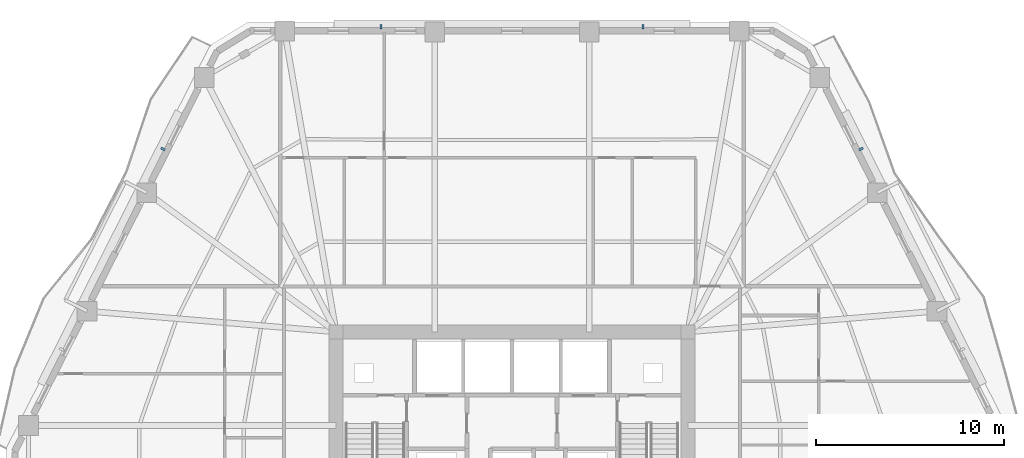
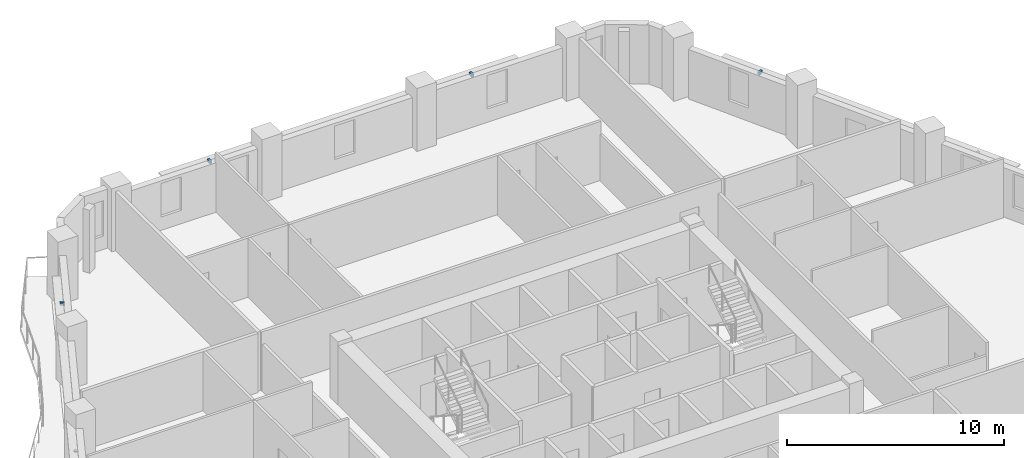
# One storey, part 9 of 13: 4 discrete accessories.
"""IFC4 building model written with IfcOpenShell, lengths in metres."""

from ifc_helpers import new_model, si_unit, direction, frame, origin, origin_2d, place, context, subcontext, project, spatial, rectangle, extrude, material, type_object, element, save


model = new_model("IFC4")

# Units and contexts
model_context = context("Model", 3, precision=1e-05, world=origin(), true_north=direction((0.0, 1.0)))
body_context = subcontext(model_context, "Body", "Model", "MODEL_VIEW")
ifc_project = project(units=[si_unit("LENGTHUNIT", "METRE"), si_unit("AREAUNIT", "SQUARE_METRE"), si_unit("VOLUMEUNIT", "CUBIC_METRE"), si_unit("PLANEANGLEUNIT", "RADIAN"), si_unit("MASSUNIT", "GRAM", prefix="KILO")], contexts=[model_context])

# Site, building, storey
site_placement = place(None, origin())
site = spatial("IfcSite", under=ifc_project, at=site_placement, CompositionType="ELEMENT")
building_placement = place(site_placement, origin())
building = spatial("IfcBuilding", under=site, at=building_placement, Name="Cinnabar Lancet Tower", CompositionType="ELEMENT")
storey_placement = place(building_placement, frame((0.0, 0.0, 83.550048828125)))
storey = spatial("IfcBuildingStorey", under=building, at=storey_placement, Name="L21", CompositionType="ELEMENT", Elevation=83.550048828125)

# Discrete accessories
ifc_material = material(Name="Stainless steel 316 facade fixing bracket", Category="steel")
discrete_accessory_type = type_object("IfcDiscreteAccessoryType", Name="ENV-ACC-BRK-180", PredefinedType="BRACKET", material=ifc_material)
for number, where, z_axis, x_axis, name in (
    (1, (50.993896484375, 43.02099609375, 2.60009765625), (0.0, 0.0, 1.0), (-0.451500573218, 0.892270829056, 0.0), "L21 Face 3 Sunshade Bracket B"),
    (2, (39.383056640625, 49.5400390625, 2.60009765625), (0.0, 0.0, 1.0), (-1.0, 0.0, 0.0), "L21 Face 4 Sunshade Bracket A"),
    (3, (25.4169921875, 49.5400390625, 2.60009765625), (0.0, 0.0, 1.0), (-1.0, 0.0, 0.0), "L21 Face 4 Sunshade Bracket B"),
    (4, (13.805908203125, 43.02099609375, 2.60009765625), (0.0, 0.0, 1.0), (-0.451500573218, -0.892270829056, 0.0), "L21 Face 5 Sunshade Bracket A"),
):
    element("IfcDiscreteAccessory", number, at=place(storey_placement, frame(where, z_axis=z_axis, x_axis=x_axis)), inside=storey, type_object=discrete_accessory_type, Name=name, PredefinedType="BRACKET", context=body_context, shape_type="SweptSolid", body=[
        extrude(rectangle(XDim=0.1201171875, YDim=0.239990234375, at=origin_2d()), origin(), (0.0, 0.0, 1.0), 0.159912109375),
    ])

save(model, "model.ifc")
